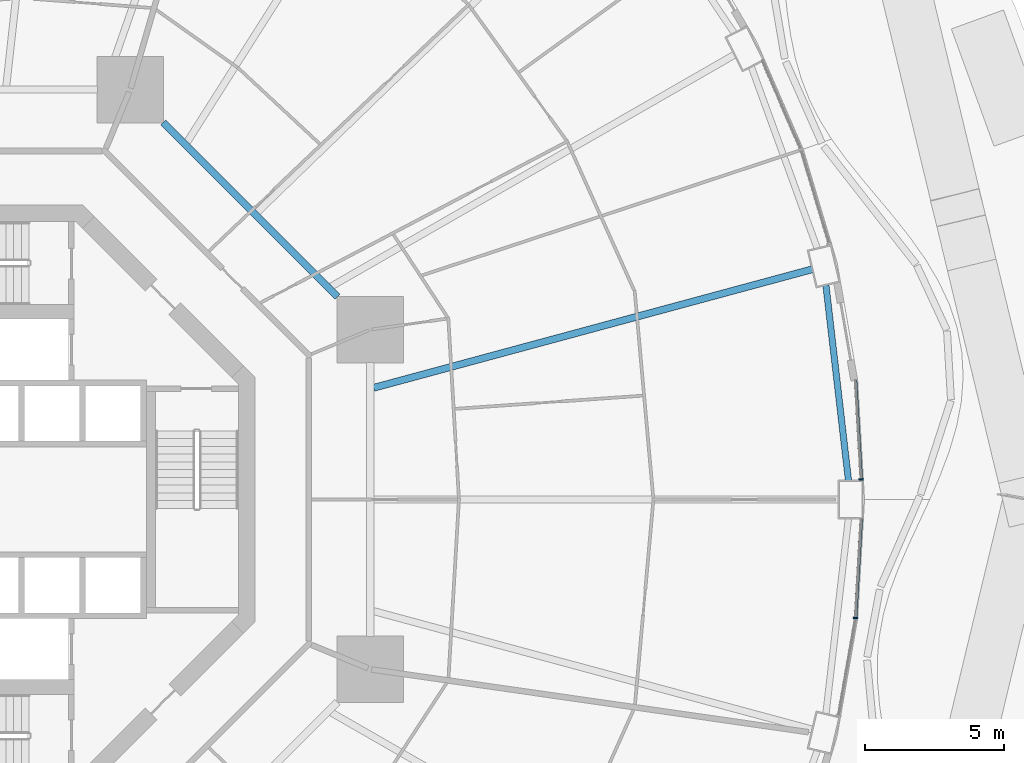
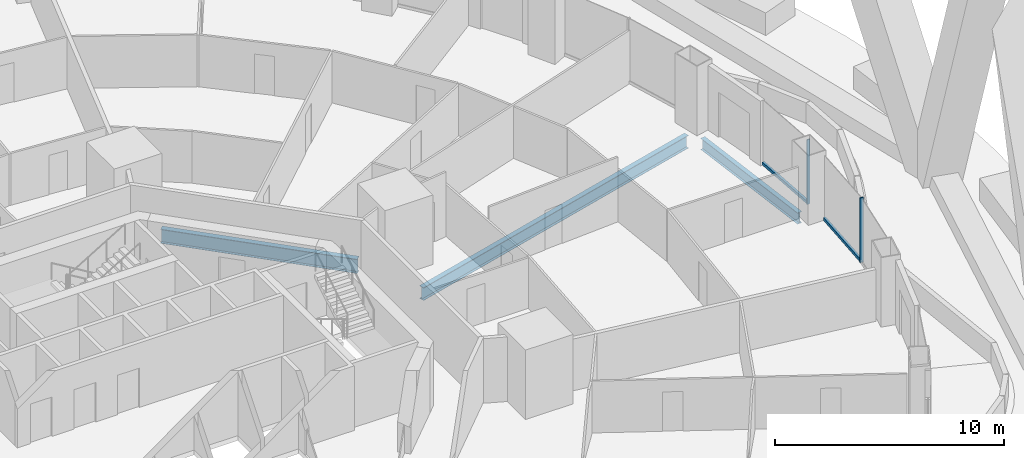
# One storey, part 21 of 42: 4 members, 3 beams, 2 elements without a shape of their own.
"""IFC4 building model written with IfcOpenShell, lengths in metres."""

from ifc_helpers import new_model, si_unit, direction, frame, origin, origin_2d, place, context, subcontext, project, spatial, rectangle, i_section, extrude, material, layer, layer_set, material_profile, profile_set, type_object, element, aggregate, save


model = new_model("IFC4")

# Units and contexts
model_context = context("Model", 3, precision=1e-05, world=origin(), true_north=direction((0.0, 1.0)))
body_context = subcontext(model_context, "Body", "Model", "MODEL_VIEW")
ifc_project = project(units=[si_unit("LENGTHUNIT", "METRE"), si_unit("AREAUNIT", "SQUARE_METRE"), si_unit("VOLUMEUNIT", "CUBIC_METRE"), si_unit("PLANEANGLEUNIT", "RADIAN"), si_unit("MASSUNIT", "GRAM", prefix="KILO")], contexts=[model_context])

# Site, building, storey
site_placement = place(None, origin())
site = spatial("IfcSite", under=ifc_project, at=site_placement, CompositionType="ELEMENT")
building_placement = place(site_placement, origin())
building = spatial("IfcBuilding", under=site, at=building_placement, Name="Nagisa Residences", CompositionType="ELEMENT")
storey_placement = place(building_placement, frame((0.0, 0.0, 27.0)))
storey = spatial("IfcBuildingStorey", under=building, at=storey_placement, Name="L05", CompositionType="ELEMENT", Elevation=27.0)

# Curtain wall, member
ifc_material_1 = material(Name="Concrete-coloured aluminium curtain wall system", Category="concrete")
ifc_layer = layer(ifc_material_1, 0.159912109375)
ifc_layer_set = layer_set([ifc_layer], Name="CW1 CURTAIN WALL")
curtain_wall_type = type_object("IfcCurtainWallType", Name="CW1 CURTAIN WALL", PredefinedType="NOTDEFINED", material=ifc_layer_set)
curtain_wall_1_placement = place(storey_placement, origin())
curtain_wall_1 = element("IfcCurtainWall", 1, at=curtain_wall_1_placement, inside=storey, type_object=curtain_wall_type, Name="cw:CW1:L05:00", PredefinedType="NOTDEFINED")
ifc_material_2 = material(Name="Concrete-coloured aluminium", Category="concrete")
ifc_material_profile_1 = material_profile(ifc_material_2, rectangle(XDim=0.159912109375, YDim=0.06005859375, at=origin_2d()), Name="CW1 MULLION 160x60")
ifc_profile_set_1 = profile_set([ifc_material_profile_1], Name="Concrete-coloured aluminium")
member_type_1 = type_object("IfcMemberType", Name="CW1 MULLION 160x60", PredefinedType="MULLION", material=ifc_profile_set_1)
member_1_placement = place(storey_placement, frame((32.478271484375, 0.72412109375, 0.0), z_axis=(0.0, 0.0, 1.0), x_axis=(-0.998345305184, -0.057503492216, 0.0)))
member_1 = element("IfcMember", 2, at=member_1_placement, type_object=member_type_1, Name="CW1 mullion", PredefinedType="MULLION", context=body_context, shape_type="SweptSolid", body=[
    extrude(rectangle(XDim=0.159912109375, YDim=0.06005859375, at=origin_2d()), origin(), (0.0, 0.0, 1.0), 3.43994140625),
])

curtain_wall_2_placement = place(storey_placement, origin())
curtain_wall_2 = element("IfcCurtainWall", 3, at=curtain_wall_2_placement, inside=storey, type_object=curtain_wall_type, Name="cw:CW1:L05:47", PredefinedType="NOTDEFINED")
member_2_placement = place(storey_placement, frame((32.273681640625, -4.272705078125, 0.0), z_axis=(0.0, 0.0, 1.0), x_axis=(-0.998345305184, 0.057503492216, 0.0)))
member_2 = element("IfcMember", 4, at=member_2_placement, type_object=member_type_1, Name="CW1 mullion", PredefinedType="MULLION", context=body_context, shape_type="SweptSolid", body=[
    extrude(rectangle(XDim=0.159912109375, YDim=0.06005859375, at=origin_2d()), origin(), (0.0, 0.0, 1.0), 3.43994140625),
])

# Member
ifc_material_3 = material(Name="Concrete-coloured aluminium", Category="concrete")
ifc_material_profile_2 = material_profile(ifc_material_3, rectangle(XDim=0.1201171875, YDim=0.14990234375, at=origin_2d()), Name="CW1 TRANSOM 120x150")
ifc_profile_set_2 = profile_set([ifc_material_profile_2], Name="Concrete-coloured aluminium")
member_type_2 = type_object("IfcMemberType", Name="CW1 TRANSOM 120x150", PredefinedType="USERDEFINED", material=ifc_profile_set_2)
member_3_placement = place(storey_placement, frame((32.47998046875, 0.6943359375, 0.074951171875), z_axis=(-0.057549926952, 0.998342629515, 0.0), x_axis=(-0.998342629515, -0.057549926952, 0.0)))
member_3 = element("IfcMember", 5, at=member_3_placement, type_object=member_type_2, Name="CW1 transom", ObjectType="TRANSOM", PredefinedType="USERDEFINED", context=body_context, shape_type="SweptSolid", body=[
    extrude(rectangle(XDim=0.1201171875, YDim=0.14990234375, at=origin_2d()), origin(), (0.0, 0.0, 1.0), 3.614501953125),
])

aggregate(curtain_wall_1, [member_1, member_3])

member_4_placement = place(storey_placement, frame((32.27197265625, -4.302734375, 0.074951171875), z_axis=(0.057549926952, 0.998342629515, 0.0), x_axis=(-0.998342629515, 0.057549926952, 0.0)))
member_4 = element("IfcMember", 6, at=member_4_placement, type_object=member_type_2, Name="CW1 transom", ObjectType="TRANSOM", PredefinedType="USERDEFINED", context=body_context, shape_type="SweptSolid", body=[
    extrude(rectangle(XDim=0.1201171875, YDim=0.14990234375, at=origin_2d()), origin(), (0.0, 0.0, 1.0), 3.614501953125),
])

aggregate(curtain_wall_2, [member_2, member_4])

# Beams
ifc_material_4 = material(Name="Steel ASTM A572 Gr 50", Category="steel")
ifc_material_profile_3 = material_profile(ifc_material_4, i_section(OverallWidth=0.264892578125, OverallDepth=0.7529296875, WebThickness=0.01318359375, FlangeThickness=0.01708984375, at=origin_2d()), Name="W760x147")
ifc_profile_set_3 = profile_set([ifc_material_profile_3], Name="Steel ASTM A572 Gr 50")
beam_type_1 = type_object("IfcBeamType", Name="Inner ring beam W760x147", PredefinedType="BEAM", material=ifc_profile_set_3)
beam_1_placement = place(storey_placement, frame((13.59619140625, 7.308837890625, -0.636474609375), z_axis=(-0.707106781187, 0.707106781187, 0.0), x_axis=(-0.707106781187, -0.707106781187, 0.0)))
element("IfcBeam", 7, at=beam_1_placement, inside=storey, type_object=beam_type_1, Name="beam:L05:ib1", PredefinedType="BEAM", context=body_context, shape_type="SweptSolid", body=[
    extrude(i_section(OverallWidth=0.264892578125, OverallDepth=0.7529296875, WebThickness=0.01318359375, FlangeThickness=0.01708984375, at=origin_2d()), origin(), (0.0, 0.0, 1.0), 8.8916015625),
])
ifc_material_5 = material(Name="Steel ASTM A572 Gr 50", Category="steel")
ifc_material_profile_4 = material_profile(ifc_material_5, i_section(OverallWidth=0.22802734375, OverallDepth=0.60302734375, WebThickness=0.010498046875, FlangeThickness=0.014892578125, at=origin_2d()), Name="W610x101")
ifc_profile_set_4 = profile_set([ifc_material_profile_4], Name="Steel ASTM A572 Gr 50")
beam_type_2 = type_object("IfcBeamType", Name="Perimeter ring beam W610x101", PredefinedType="BEAM", material=ifc_profile_set_4)
beam_2_placement = place(storey_placement, frame((32.021484375, 0.68017578125, -0.5615234375), z_axis=(-0.114673717321, 0.993403210462, 0.0), x_axis=(-0.993403210462, -0.114673717321, 0.0)))
element("IfcBeam", 8, at=beam_2_placement, inside=storey, type_object=beam_type_2, Name="beam:L05:pb01", PredefinedType="BEAM", context=body_context, shape_type="SweptSolid", body=[
    extrude(i_section(OverallWidth=0.22802734375, OverallDepth=0.60302734375, WebThickness=0.010498046875, FlangeThickness=0.014892578125, at=origin_2d()), origin(), (0.0, 0.0, 1.0), 7.09814453125),
])
ifc_material_6 = material(Name="Steel ASTM A572 Gr 50", Category="steel")
ifc_material_profile_5 = material_profile(ifc_material_6, i_section(OverallWidth=0.25390625, OverallDepth=0.68408203125, WebThickness=0.012451171875, FlangeThickness=0.018798828125, at=origin_2d()), Name="W690x140")
ifc_profile_set_5 = profile_set([ifc_material_profile_5], Name="Steel ASTM A572 Gr 50")
beam_type_3 = type_object("IfcBeamType", Name="Radial beam W690x140", PredefinedType="BEAM", material=ifc_profile_set_5)
beam_3_placement = place(storey_placement, frame((30.713623046875, 8.29931640625, -0.60205078125), z_axis=(-0.965375968847, -0.260862490162, 0.0), x_axis=(0.260862490162, -0.965375968847, 0.0)))
element("IfcBeam", 9, at=beam_3_placement, inside=storey, type_object=beam_type_3, Name="beam:L05:rb02", PredefinedType="BEAM", context=body_context, shape_type="SweptSolid", body=[
    extrude(i_section(OverallWidth=0.25390625, OverallDepth=0.68408203125, WebThickness=0.012451171875, FlangeThickness=0.018798828125, at=origin_2d()), origin(), (0.0, 0.0, 1.0), 16.3857421875),
])

save(model, "model.ifc")
